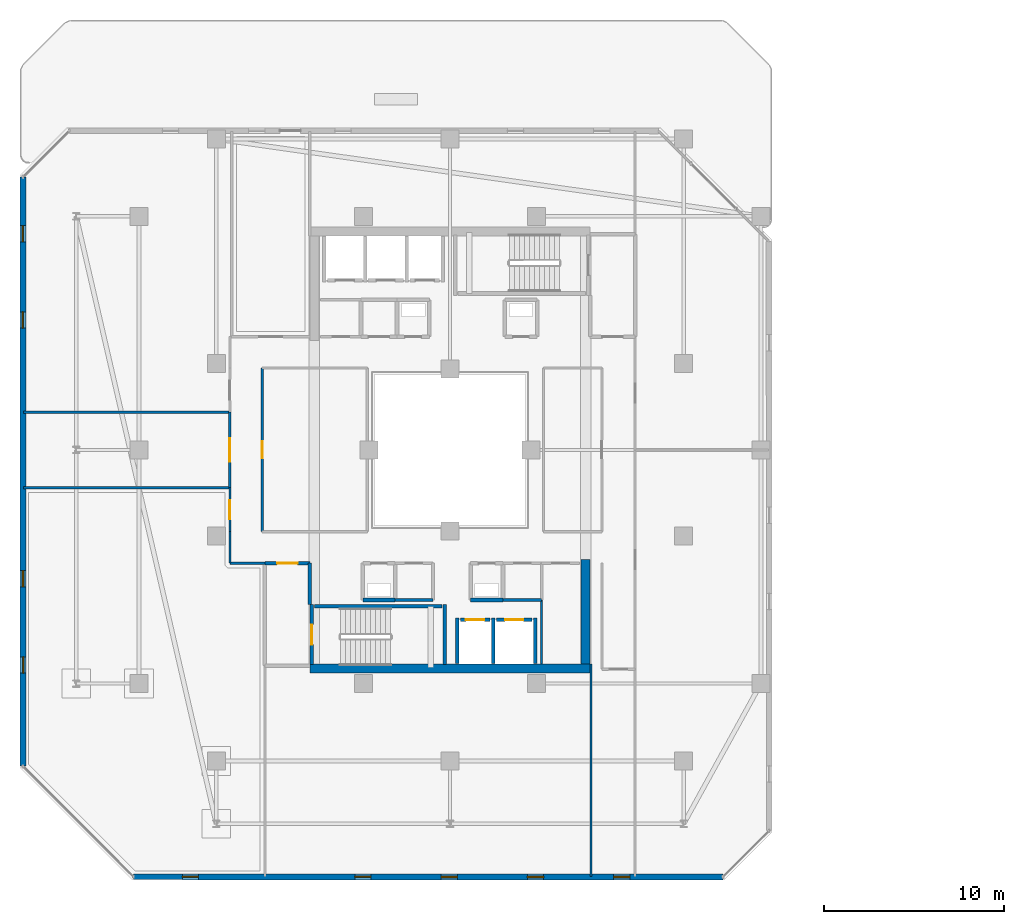
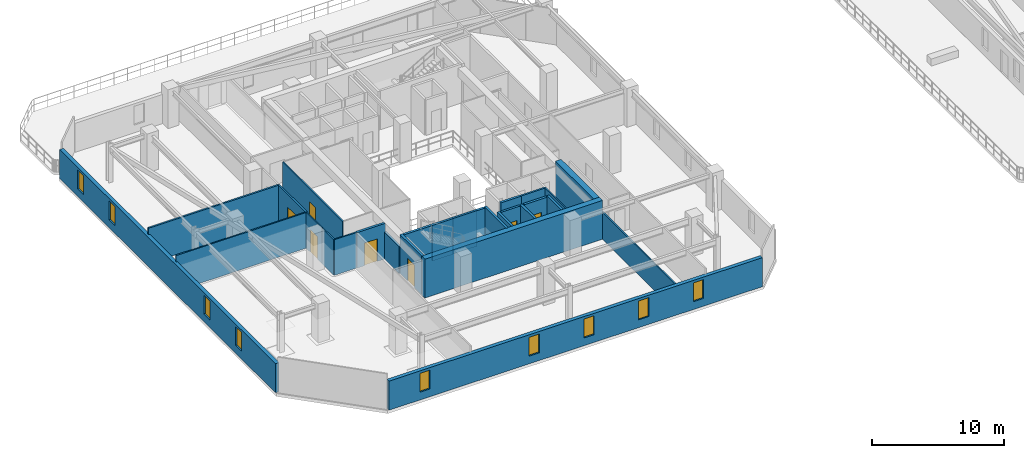
# One storey, part 18 of 29: 27 walls, 9 windows, 7 doors, 16 openings.
"""IFC4 building model written with IfcOpenShell, lengths in metres."""

from ifc_helpers import new_model, si_unit, direction, frame, frame_2d, origin, place, context, subcontext, project, spatial, rectangle, extrude, material, layer, layer_set, type_object, element, fill, save


model = new_model("IFC4")

# Units and contexts
model_context = context("Model", 3, precision=1e-05, world=origin(), true_north=direction((0.0, 1.0)))
body_context = subcontext(model_context, "Body", "Model", "MODEL_VIEW")
ifc_project = project(units=[si_unit("LENGTHUNIT", "METRE"), si_unit("AREAUNIT", "SQUARE_METRE"), si_unit("VOLUMEUNIT", "CUBIC_METRE"), si_unit("PLANEANGLEUNIT", "RADIAN"), si_unit("MASSUNIT", "GRAM", prefix="KILO")], contexts=[model_context])

# Site, building, storey
site_placement = place(None, origin())
site = spatial("IfcSite", under=ifc_project, at=site_placement, CompositionType="ELEMENT")
building_placement = place(site_placement, origin())
building = spatial("IfcBuilding", under=site, at=building_placement, Name="Thornwick Lancets Civic Towers", CompositionType="ELEMENT")
storey_placement = place(building_placement, frame((0.0, 0.0, 229.5)))
storey = spatial("IfcBuildingStorey", under=building, at=storey_placement, Name="L61", CompositionType="ELEMENT", Elevation=229.5)

# Wall, opening, door
ifc_material_1 = material(Name="Concrete blockwork C40/50", Category="masonry")
ifc_layer_1 = layer(ifc_material_1, 0.199951171875, Name="Concrete blockwork C40/50")
ifc_layer_set_1 = layer_set([ifc_layer_1], Name="Concrete blockwork C40/50")
wall_type_1 = type_object("IfcWallType", Name="WALL_COMP_200", PredefinedType="STANDARD", material=ifc_layer_set_1)
wall_1_placement = place(storey_placement, frame((26.080078125, 17.550048828125, 0.0), z_axis=(0.0, 0.0, 1.0), x_axis=(1.0, 0.0, 0.0)))
wall_1 = element("IfcWall", 1, at=wall_1_placement, inside=storey, type_object=wall_type_1, Name="L61 Hoistway Front Wall FL-A1", PredefinedType="STANDARD", context=body_context, shape_type="SweptSolid", body=[
    extrude(rectangle(XDim=1.639892578125, YDim=0.199951171875, at=frame_2d((0.81982421875, 0.0))), origin(), (0.0, 0.0, 1.0), 3.300048828125),
])
opening_1_placement = place(wall_1_placement, frame((0.31005859375, 0.0, 0.0)))
opening_1 = element("IfcOpeningElement", 2, at=opening_1_placement, cuts=wall_1, Name="Opening LD-FL-A1", PredefinedType="OPENING", context=body_context, shape_type="SweptSolid", body=[
    extrude(rectangle(XDim=1.02001953125, YDim=2.06005859375, at=frame_2d((0.510009765625, 1.030029296875))), frame((0.0, 0.10986328125, 0.0), z_axis=(0.0, -1.0, 0.0), x_axis=(1.0, 0.0, 0.0)), (0.0, 0.0, 1.0), 0.219970703125),
])
ifc_material_2 = material(Name="Brushed bronze stainless steel", Category="steel")
door_type_1 = type_object("IfcDoorType", Name="DOOR_LIFT_SLIDE", OperationType="SLIDING_TO_LEFT", PredefinedType="DOOR", material=ifc_material_2)
door_1_placement = place(opening_1_placement, origin())
door_1 = element("IfcDoor", 3, at=door_1_placement, inside=storey, type_object=door_type_1, Name="L61 Sliding Lift Landing Door LD-FL-A1", OperationType="SLIDING_TO_LEFT", OverallHeight=2.06005859375, OverallWidth=1.02001953125, PredefinedType="DOOR", context=body_context, shape_type="SweptSolid", body=[
    extrude(rectangle(XDim=1.02001953125, YDim=2.06005859375, at=frame_2d((0.510009765625, 1.030029296875))), frame((0.0, 0.02490234375, 0.0), z_axis=(0.0, -1.0, 0.0), x_axis=(1.0, 0.0, 0.0)), (0.0, 0.0, 1.0), 0.050048828125),
])
fill(opening_1, door_1)

wall_2_placement = place(storey_placement, frame((28.080078125, 17.550048828125, 0.0), z_axis=(0.0, 0.0, 1.0), x_axis=(1.0, 0.0, 0.0)))
wall_2 = element("IfcWall", 4, at=wall_2_placement, inside=storey, type_object=wall_type_1, Name="L61 Hoistway Front Wall PL-AH1", PredefinedType="STANDARD", context=body_context, shape_type="SweptSolid", body=[
    extrude(rectangle(XDim=1.989990234375, YDim=0.199951171875, at=frame_2d((0.9951171875, 0.0))), origin(), (0.0, 0.0, 1.0), 3.300048828125),
])
opening_2_placement = place(wall_2_placement, frame((0.485107421875, 0.0, 0.0)))
opening_2 = element("IfcOpeningElement", 5, at=opening_2_placement, cuts=wall_2, Name="Opening LD-PL-AH1", PredefinedType="OPENING", context=body_context, shape_type="SweptSolid", body=[
    extrude(rectangle(XDim=1.02001953125, YDim=2.06005859375, at=frame_2d((0.510009765625, 1.030029296875))), frame((0.0, 0.10986328125, 0.0), z_axis=(0.0, -1.0, 0.0), x_axis=(1.0, 0.0, 0.0)), (0.0, 0.0, 1.0), 0.219970703125),
])
door_2_placement = place(opening_2_placement, origin())
door_2 = element("IfcDoor", 6, at=door_2_placement, inside=storey, type_object=door_type_1, Name="L61 Sliding Lift Landing Door LD-PL-AH1", OperationType="SLIDING_TO_LEFT", OverallHeight=2.06005859375, OverallWidth=1.02001953125, PredefinedType="DOOR", context=body_context, shape_type="SweptSolid", body=[
    extrude(rectangle(XDim=1.02001953125, YDim=2.06005859375, at=frame_2d((0.510009765625, 1.030029296875))), frame((0.0, 0.02490234375, 0.0), z_axis=(0.0, -1.0, 0.0), x_axis=(1.0, 0.0, 0.0)), (0.0, 0.0, 1.0), 0.050048828125),
])
fill(opening_2, door_2)

# Walls
for number, where, z_axis, x_axis, name in (
    (7, (27.89990234375, 15.112060546875, 0.0), (0.0, 0.0, 1.0), (0.0, 1.0, 0.0), "L61 Hoistway Shaft Wall FL-A1 E"),
    (8, (25.89990234375, 15.112060546875, 0.0), (0.0, 0.0, 1.0), (0.0, 1.0, 0.0), "L61 Hoistway Shaft Wall FL-A1 W"),
    (9, (30.25, 15.112060546875, 0.0), (0.0, 0.0, 1.0), (0.0, 1.0, 0.0), "L61 Hoistway Shaft Wall PL-AH1 E"),
):
    element("IfcWall", number, at=place(storey_placement, frame(where, z_axis=z_axis, x_axis=x_axis)), inside=storey, type_object=wall_type_1, Name=name, PredefinedType="STANDARD", context=body_context, shape_type="SweptSolid", body=[
        extrude(rectangle(XDim=2.535888671875, YDim=0.199951171875, at=frame_2d((1.26806640625, 0.0))), origin(), (0.0, 0.0, 1.0), 3.300048828125),
    ])
wall_3_placement = place(storey_placement, frame((17.699951171875, 18.39990234375, 0.0), z_axis=(0.0, 0.0, 1.0), x_axis=(0.0, 1.0, 0.0)))
element("IfcWall", 10, at=wall_3_placement, inside=storey, type_object=wall_type_1, Name="L61 Partition L61-A-FFLOB1 E2", PredefinedType="STANDARD", context=body_context, shape_type="SweptSolid", body=[
    extrude(rectangle(XDim=2.300048828125, YDim=0.199951171875, at=frame_2d((1.14990234375, 0.0))), origin(), (0.0, 0.0, 1.0), 2.5048828125),
])

# Wall, opening, door
wall_4_placement = place(storey_placement, frame((17.699951171875, 20.699951171875, 0.0), z_axis=(0.0, 0.0, 1.0), x_axis=(-1.0, 0.0, 0.0)))
wall_4 = element("IfcWall", 11, at=wall_4_placement, inside=storey, type_object=wall_type_1, Name="L61 Partition L61-A-FFLOB1 E3", PredefinedType="STANDARD", context=body_context, shape_type="SweptSolid", body=[
    extrude(rectangle(XDim=2.5, YDim=0.199951171875, at=frame_2d((1.25, 0.0))), origin(), (0.0, 0.0, 1.0), 3.300048828125),
])
opening_3_placement = place(wall_4_placement, frame((0.675048828125, 0.0, 0.0)))
opening_3 = element("IfcOpeningElement", 12, at=opening_3_placement, cuts=wall_4, Name="Opening D-L61-2737", PredefinedType="OPENING", context=body_context, shape_type="SweptSolid", body=[
    extrude(rectangle(XDim=1.14990234375, YDim=2.10009765625, at=frame_2d((0.574951171875, 1.050048828125))), frame((0.0, 0.10986328125, 0.0), z_axis=(0.0, -1.0, 0.0), x_axis=(1.0, 0.0, 0.0)), (0.0, 0.0, 1.0), 0.219970703125),
])
ifc_material_3 = material(Name="Glazed fire-resisting steel", Category="steel")
door_type_2 = type_object("IfcDoorType", Name="DOOR_LOBBY_FD60", OperationType="NOTDEFINED", PredefinedType="DOOR", material=ifc_material_3)
door_3_placement = place(opening_3_placement, origin())
door_3 = element("IfcDoor", 13, at=door_3_placement, inside=storey, type_object=door_type_2, Name="L61 South Firefighting Lobby 1 Door", OperationType="SINGLE_SWING_RIGHT", OverallHeight=2.10009765625, OverallWidth=1.14990234375, PredefinedType="DOOR", context=body_context, shape_type="SweptSolid", body=[
    extrude(rectangle(XDim=1.14990234375, YDim=2.10009765625, at=frame_2d((0.574951171875, 1.050048828125))), frame((0.0, 0.02490234375, 0.0), z_axis=(0.0, -1.0, 0.0), x_axis=(1.0, 0.0, 0.0)), (0.0, 0.0, 1.0), 0.050048828125),
])
fill(opening_3, door_3)

# Walls
for number, where, z_axis, x_axis, name in (
    (14, (26.64990234375, 18.64990234375, 0.0), (0.0, 0.0, 1.0), (1.0, 0.0, 0.0), "L61 Partition L61-A-DUCT1 E1"),
    (15, (20.64990234375, 18.64990234375, 0.0), (0.0, 0.0, 1.0), (1.0, 0.0, 0.0), "L61 Partition L61-A-RISER1 E1"),
):
    element("IfcWall", number, at=place(storey_placement, frame(where, z_axis=z_axis, x_axis=x_axis)), inside=storey, type_object=wall_type_1, Name=name, PredefinedType="STANDARD", context=body_context, shape_type="SweptSolid", body=[
        extrude(rectangle(XDim=1.800048828125, YDim=0.199951171875, at=frame_2d((0.89990234375, 0.0))), origin(), (0.0, 0.0, 1.0), 3.300048828125),
    ])
ifc_material_4 = material(Name="Concrete C50/60", Category="concrete")
ifc_layer_2 = layer(ifc_material_4, 0.5, Name="Concrete C50/60")
ifc_layer_set_2 = layer_set([ifc_layer_2], Name="Concrete C50/60")
wall_type_2 = type_object("IfcWallType", Name="WALL_CORE_500", PredefinedType="SHEAR", material=ifc_layer_set_2)
wall_5_placement = place(storey_placement, frame((17.699951171875, 14.85009765625, 0.0), z_axis=(0.0, 0.0, 1.0), x_axis=(1.0, 0.0, 0.0)))
element("IfcWall", 16, at=wall_5_placement, inside=storey, type_object=wall_type_2, Name="L61 Split Core A1 Shear Wall S", PredefinedType="SHEAR", context=body_context, shape_type="SweptSolid", body=[
    extrude(rectangle(XDim=15.60009765625, YDim=0.5, at=frame_2d((7.800048828125, 0.0))), origin(), (0.0, 0.0, 1.0), 3.60009765625),
])
wall_6_placement = place(storey_placement, frame((33.050048828125, 15.10009765625, 0.0), z_axis=(0.0, 0.0, 1.0), x_axis=(0.0, 1.0, 0.0)))
element("IfcWall", 17, at=wall_6_placement, inside=storey, type_object=wall_type_2, Name="L61 Split Core A1 Shear Wall E", PredefinedType="SHEAR", context=body_context, shape_type="SweptSolid", body=[
    extrude(rectangle(XDim=5.7998046875, YDim=0.5, at=frame_2d((2.89990234375, 0.0))), origin(), (0.0, 0.0, 1.0), 3.60009765625),
])

# Wall, openings, windows
ifc_material_5 = material(Name="Insulated buff terracotta rainscreen on concrete C40/50", Category="masonry")
ifc_layer_3 = layer(ifc_material_5, 0.320068359375, Name="Insulated buff terracotta rainscreen on concrete C40/50")
ifc_layer_set_3 = layer_set([ifc_layer_3], Name="Insulated buff terracotta rainscreen on concrete C40/50")
wall_type_3 = type_object("IfcWallType", Name="WALL_EXT_TERRA_320", PredefinedType="STANDARD", material=ifc_layer_set_3)
wall_7_placement = place(storey_placement, frame((7.903564453125, 3.247314453125, 0.0), z_axis=(0.0, 0.0, 1.0), x_axis=(0.999999933399, -0.000364968916, 0.0)))
wall_7 = element("IfcWall", 18, at=wall_7_placement, inside=storey, type_object=wall_type_3, Name="L61 Tower A Terracotta Facade Wall E0", PredefinedType="STANDARD", context=body_context, shape_type="SweptSolid", body=[
    extrude(rectangle(XDim=32.77783203125, YDim=0.320068359375, at=frame_2d((16.388916015625, 0.0))), origin(), (0.0, 0.0, 1.0), 2.699951171875),
])
opening_4_placement = place(wall_7_placement, frame((2.699951171875, 0.0, 0.719970703125)))
opening_4 = element("IfcOpeningElement", 19, at=opening_4_placement, cuts=wall_7, Name="Opening WL-01", PredefinedType="OPENING", context=body_context, shape_type="SweptSolid", body=[
    extrude(rectangle(XDim=0.89990234375, YDim=1.75, at=frame_2d((0.449951171875, 0.875))), frame((0.0, 0.169921875, 0.0), z_axis=(0.0, -1.0, 0.0), x_axis=(1.0, 0.0, 0.0)), (0.0, 0.0, 1.0), 0.340087890625),
])
opening_5_placement = place(wall_7_placement, frame((12.300048828125, 0.0, 0.719970703125)))
opening_5 = element("IfcOpeningElement", 20, at=opening_5_placement, cuts=wall_7, Name="Opening WL-01", PredefinedType="OPENING", context=body_context, shape_type="SweptSolid", body=[
    extrude(rectangle(XDim=0.89990234375, YDim=1.75, at=frame_2d((0.449951171875, 0.875))), frame((0.0, 0.169921875, 0.0), z_axis=(0.0, -1.0, 0.0), x_axis=(1.0, 0.0, 0.0)), (0.0, 0.0, 1.0), 0.340087890625),
])
opening_6_placement = place(wall_7_placement, frame((17.10009765625, 0.0, 0.719970703125)))
opening_6 = element("IfcOpeningElement", 21, at=opening_6_placement, cuts=wall_7, Name="Opening WL-01", PredefinedType="OPENING", context=body_context, shape_type="SweptSolid", body=[
    extrude(rectangle(XDim=0.89990234375, YDim=1.75, at=frame_2d((0.449951171875, 0.875))), frame((0.0, 0.169921875, 0.0), z_axis=(0.0, -1.0, 0.0), x_axis=(1.0, 0.0, 0.0)), (0.0, 0.0, 1.0), 0.340087890625),
])
opening_7_placement = place(wall_7_placement, frame((21.89990234375, 0.0, 0.719970703125)))
opening_7 = element("IfcOpeningElement", 22, at=opening_7_placement, cuts=wall_7, Name="Opening WL-01", PredefinedType="OPENING", context=body_context, shape_type="SweptSolid", body=[
    extrude(rectangle(XDim=0.89990234375, YDim=1.75, at=frame_2d((0.449951171875, 0.875))), frame((0.0, 0.169921875, 0.0), z_axis=(0.0, -1.0, 0.0), x_axis=(1.0, 0.0, 0.0)), (0.0, 0.0, 1.0), 0.340087890625),
])
opening_8_placement = place(wall_7_placement, frame((26.699951171875, 0.0, 0.719970703125)))
opening_8 = element("IfcOpeningElement", 23, at=opening_8_placement, cuts=wall_7, Name="Opening WL-01", PredefinedType="OPENING", context=body_context, shape_type="SweptSolid", body=[
    extrude(rectangle(XDim=0.89990234375, YDim=1.75, at=frame_2d((0.449951171875, 0.875))), frame((0.0, 0.169921875, 0.0), z_axis=(0.0, -1.0, 0.0), x_axis=(1.0, 0.0, 0.0)), (0.0, 0.0, 1.0), 0.340087890625),
])
ifc_material_6 = material(Name="Clear low-e double glazing in bronze frame", Category="glass")
window_type = type_object("IfcWindowType", Name="WIN_LANCET_900", PartitioningType="SINGLE_PANEL", PredefinedType="WINDOW", material=ifc_material_6)
window_1_placement = place(opening_4_placement, origin())
window_1 = element("IfcWindow", 24, at=window_1_placement, inside=storey, type_object=window_type, Name="L61 Tower A Staggered Lancet Window E0-1", OverallHeight=1.75, OverallWidth=0.89990234375, PartitioningType="SINGLE_PANEL", PredefinedType="WINDOW", context=body_context, shape_type="SweptSolid", body=[
    extrude(rectangle(XDim=0.89990234375, YDim=1.75, at=frame_2d((0.449951171875, 0.875))), frame((0.0, 0.030029296875, 0.0), z_axis=(0.0, -1.0, 0.0), x_axis=(1.0, 0.0, 0.0)), (0.0, 0.0, 1.0), 0.06005859375),
])
fill(opening_4, window_1)
window_2_placement = place(opening_5_placement, origin())
window_2 = element("IfcWindow", 25, at=window_2_placement, inside=storey, type_object=window_type, Name="L61 Tower A Staggered Lancet Window E0-2", OverallHeight=1.75, OverallWidth=0.89990234375, PartitioningType="SINGLE_PANEL", PredefinedType="WINDOW", context=body_context, shape_type="SweptSolid", body=[
    extrude(rectangle(XDim=0.89990234375, YDim=1.75, at=frame_2d((0.449951171875, 0.875))), frame((0.0, 0.030029296875, 0.0), z_axis=(0.0, -1.0, 0.0), x_axis=(1.0, 0.0, 0.0)), (0.0, 0.0, 1.0), 0.06005859375),
])
fill(opening_5, window_2)
window_3_placement = place(opening_6_placement, origin())
window_3 = element("IfcWindow", 26, at=window_3_placement, inside=storey, type_object=window_type, Name="L61 Tower A Staggered Lancet Window E0-3", OverallHeight=1.75, OverallWidth=0.89990234375, PartitioningType="SINGLE_PANEL", PredefinedType="WINDOW", context=body_context, shape_type="SweptSolid", body=[
    extrude(rectangle(XDim=0.89990234375, YDim=1.75, at=frame_2d((0.449951171875, 0.875))), frame((0.0, 0.030029296875, 0.0), z_axis=(0.0, -1.0, 0.0), x_axis=(1.0, 0.0, 0.0)), (0.0, 0.0, 1.0), 0.06005859375),
])
fill(opening_6, window_3)
window_4_placement = place(opening_7_placement, origin())
window_4 = element("IfcWindow", 27, at=window_4_placement, inside=storey, type_object=window_type, Name="L61 Tower A Staggered Lancet Window E0-4", OverallHeight=1.75, OverallWidth=0.89990234375, PartitioningType="SINGLE_PANEL", PredefinedType="WINDOW", context=body_context, shape_type="SweptSolid", body=[
    extrude(rectangle(XDim=0.89990234375, YDim=1.75, at=frame_2d((0.449951171875, 0.875))), frame((0.0, 0.030029296875, 0.0), z_axis=(0.0, -1.0, 0.0), x_axis=(1.0, 0.0, 0.0)), (0.0, 0.0, 1.0), 0.06005859375),
])
fill(opening_7, window_4)
window_5_placement = place(opening_8_placement, origin())
window_5 = element("IfcWindow", 28, at=window_5_placement, inside=storey, type_object=window_type, Name="L61 Tower A Staggered Lancet Window E0-5", OverallHeight=1.75, OverallWidth=0.89990234375, PartitioningType="SINGLE_PANEL", PredefinedType="WINDOW", context=body_context, shape_type="SweptSolid", body=[
    extrude(rectangle(XDim=0.89990234375, YDim=1.75, at=frame_2d((0.449951171875, 0.875))), frame((0.0, 0.030029296875, 0.0), z_axis=(0.0, -1.0, 0.0), x_axis=(1.0, 0.0, 0.0)), (0.0, 0.0, 1.0), 0.06005859375),
])
fill(opening_8, window_5)

wall_8_placement = place(storey_placement, frame((1.7353515625, 42.181396484375, 0.0), z_axis=(0.0, 0.0, 1.0), x_axis=(0.000364968916, -0.999999933399, 0.0)))
wall_8 = element("IfcWall", 29, at=wall_8_placement, inside=storey, type_object=wall_type_3, Name="L61 Tower A Terracotta Facade Wall E6", PredefinedType="STANDARD", context=body_context, shape_type="SweptSolid", body=[
    extrude(rectangle(XDim=32.77783203125, YDim=0.320068359375, at=frame_2d((16.388916015625, 0.0))), origin(), (0.0, 0.0, 1.0), 2.699951171875),
])
opening_9_placement = place(wall_8_placement, frame((2.699951171875, 0.0, 0.719970703125)))
opening_9 = element("IfcOpeningElement", 30, at=opening_9_placement, cuts=wall_8, Name="Opening WL-01", PredefinedType="OPENING", context=body_context, shape_type="SweptSolid", body=[
    extrude(rectangle(XDim=0.89990234375, YDim=1.75, at=frame_2d((0.449951171875, 0.875))), frame((0.0, 0.169921875, 0.0), z_axis=(0.0, -1.0, 0.0), x_axis=(1.0, 0.0, 0.0)), (0.0, 0.0, 1.0), 0.340087890625),
])
opening_10_placement = place(wall_8_placement, frame((7.5, 0.0, 0.719970703125)))
opening_10 = element("IfcOpeningElement", 31, at=opening_10_placement, cuts=wall_8, Name="Opening WL-01", PredefinedType="OPENING", context=body_context, shape_type="SweptSolid", body=[
    extrude(rectangle(XDim=0.89990234375, YDim=1.75, at=frame_2d((0.449951171875, 0.875))), frame((0.0, 0.169921875, 0.0), z_axis=(0.0, -1.0, 0.0), x_axis=(1.0, 0.0, 0.0)), (0.0, 0.0, 1.0), 0.340087890625),
])
opening_11_placement = place(wall_8_placement, frame((21.89990234375, 0.0, 0.719970703125)))
opening_11 = element("IfcOpeningElement", 32, at=opening_11_placement, cuts=wall_8, Name="Opening WL-01", PredefinedType="OPENING", context=body_context, shape_type="SweptSolid", body=[
    extrude(rectangle(XDim=0.89990234375, YDim=1.75, at=frame_2d((0.449951171875, 0.875))), frame((0.0, 0.169921875, 0.0), z_axis=(0.0, -1.0, 0.0), x_axis=(1.0, 0.0, 0.0)), (0.0, 0.0, 1.0), 0.340087890625),
])
opening_12_placement = place(wall_8_placement, frame((26.699951171875, 0.0, 0.719970703125)))
opening_12 = element("IfcOpeningElement", 33, at=opening_12_placement, cuts=wall_8, Name="Opening WL-01", PredefinedType="OPENING", context=body_context, shape_type="SweptSolid", body=[
    extrude(rectangle(XDim=0.89990234375, YDim=1.75, at=frame_2d((0.449951171875, 0.875))), frame((0.0, 0.169921875, 0.0), z_axis=(0.0, -1.0, 0.0), x_axis=(1.0, 0.0, 0.0)), (0.0, 0.0, 1.0), 0.340087890625),
])
window_6_placement = place(opening_9_placement, origin())
window_6 = element("IfcWindow", 34, at=window_6_placement, inside=storey, type_object=window_type, Name="L61 Tower A Staggered Lancet Window E6-1", OverallHeight=1.75, OverallWidth=0.89990234375, PartitioningType="SINGLE_PANEL", PredefinedType="WINDOW", context=body_context, shape_type="SweptSolid", body=[
    extrude(rectangle(XDim=0.89990234375, YDim=1.75, at=frame_2d((0.449951171875, 0.875))), frame((0.0, 0.030029296875, 0.0), z_axis=(0.0, -1.0, 0.0), x_axis=(1.0, 0.0, 0.0)), (0.0, 0.0, 1.0), 0.06005859375),
])
fill(opening_9, window_6)
window_7_placement = place(opening_10_placement, origin())
window_7 = element("IfcWindow", 35, at=window_7_placement, inside=storey, type_object=window_type, Name="L61 Tower A Staggered Lancet Window E6-2", OverallHeight=1.75, OverallWidth=0.89990234375, PartitioningType="SINGLE_PANEL", PredefinedType="WINDOW", context=body_context, shape_type="SweptSolid", body=[
    extrude(rectangle(XDim=0.89990234375, YDim=1.75, at=frame_2d((0.449951171875, 0.875))), frame((0.0, 0.030029296875, 0.0), z_axis=(0.0, -1.0, 0.0), x_axis=(1.0, 0.0, 0.0)), (0.0, 0.0, 1.0), 0.06005859375),
])
fill(opening_10, window_7)
window_8_placement = place(opening_11_placement, origin())
window_8 = element("IfcWindow", 36, at=window_8_placement, inside=storey, type_object=window_type, Name="L61 Tower A Staggered Lancet Window E6-3", OverallHeight=1.75, OverallWidth=0.89990234375, PartitioningType="SINGLE_PANEL", PredefinedType="WINDOW", context=body_context, shape_type="SweptSolid", body=[
    extrude(rectangle(XDim=0.89990234375, YDim=1.75, at=frame_2d((0.449951171875, 0.875))), frame((0.0, 0.030029296875, 0.0), z_axis=(0.0, -1.0, 0.0), x_axis=(1.0, 0.0, 0.0)), (0.0, 0.0, 1.0), 0.06005859375),
])
fill(opening_11, window_8)
window_9_placement = place(opening_12_placement, origin())
window_9 = element("IfcWindow", 37, at=window_9_placement, inside=storey, type_object=window_type, Name="L61 Tower A Staggered Lancet Window E6-4", OverallHeight=1.75, OverallWidth=0.89990234375, PartitioningType="SINGLE_PANEL", PredefinedType="WINDOW", context=body_context, shape_type="SweptSolid", body=[
    extrude(rectangle(XDim=0.89990234375, YDim=1.75, at=frame_2d((0.449951171875, 0.875))), frame((0.0, 0.030029296875, 0.0), z_axis=(0.0, -1.0, 0.0), x_axis=(1.0, 0.0, 0.0)), (0.0, 0.0, 1.0), 0.06005859375),
])
fill(opening_12, window_9)

# Walls
ifc_material_7 = material(Name="Acoustic gypsum board partition")
ifc_layer_4 = layer(ifc_material_7, 0.1201171875, Name="Acoustic gypsum board partition")
ifc_layer_set_4 = layer_set([ifc_layer_4], Name="Acoustic gypsum board partition")
wall_type_4 = type_object("IfcWallType", Name="WALL_PART_120", PredefinedType="PARTITIONING", material=ifc_layer_set_4)
wall_9_placement = place(storey_placement, frame((30.60009765625, 15.10009765625, 0.0), z_axis=(0.0, 0.0, 1.0), x_axis=(0.0, 1.0, 0.0)))
element("IfcWall", 38, at=wall_9_placement, inside=storey, type_object=wall_type_4, Name="L61 Partition L61-A-ITR E3", PredefinedType="PARTITIONING", context=body_context, shape_type="SweptSolid", body=[
    extrude(rectangle(XDim=3.5498046875, YDim=0.1201171875, at=frame_2d((1.77490234375, 0.0))), origin(), (0.0, 0.0, 1.0), 3.300048828125),
])
wall_10_placement = place(storey_placement, frame((33.35009765625, 3.280029296875, 0.0), z_axis=(0.0, 0.0, 1.0), x_axis=(0.0, 1.0, 0.0)))
element("IfcWall", 39, at=wall_10_placement, inside=storey, type_object=wall_type_4, Name="L61 Partition L61-A-RECLAIM-L E5", PredefinedType="PARTITIONING", context=body_context, shape_type="SweptSolid", body=[
    extrude(rectangle(XDim=11.820068359375, YDim=0.1201171875, at=frame_2d((5.91015625, 0.0))), origin(), (0.0, 0.0, 1.0), 2.5048828125),
])
wall_11_placement = place(storey_placement, frame((13.25, 22.449951171875, 0.0), z_axis=(0.0, 0.0, 1.0), x_axis=(0.0, -1.0, 0.0)))
element("IfcWall", 40, at=wall_11_placement, inside=storey, type_object=wall_type_4, Name="L61 Partition L61-A-W1 E1", PredefinedType="PARTITIONING", context=body_context, shape_type="SweptSolid", body=[
    extrude(rectangle(XDim=1.75, YDim=0.1201171875, at=frame_2d((0.875, 0.0))), origin(), (0.0, 0.0, 1.0), 3.300048828125),
])
wall_12_placement = place(storey_placement, frame((13.25, 20.699951171875, 0.0), z_axis=(0.0, 0.0, 1.0), x_axis=(1.0, 0.0, 0.0)))
element("IfcWall", 41, at=wall_12_placement, inside=storey, type_object=wall_type_4, Name="L61 Partition L61-A-W1 E2", PredefinedType="PARTITIONING", context=body_context, shape_type="SweptSolid", body=[
    extrude(rectangle(XDim=1.949951171875, YDim=0.1201171875, at=frame_2d((0.97509765625, 0.0))), origin(), (0.0, 0.0, 1.0), 3.300048828125),
])
wall_13_placement = place(storey_placement, frame((1.780029296875, 24.89990234375, 0.0), z_axis=(0.0, 0.0, 1.0), x_axis=(1.0, 0.0, 0.0)))
element("IfcWall", 42, at=wall_13_placement, inside=storey, type_object=wall_type_4, Name="L61 Partition L61-A-W1 E8", PredefinedType="PARTITIONING", context=body_context, shape_type="SweptSolid", body=[
    extrude(rectangle(XDim=11.469970703125, YDim=0.1201171875, at=frame_2d((5.73486328125, 0.0))), origin(), (0.0, 0.0, 1.0), 3.300048828125),
])

# Wall, opening, door
wall_14_placement = place(storey_placement, frame((13.25, 24.89990234375, 0.0), z_axis=(0.0, 0.0, 1.0), x_axis=(0.0, -1.0, 0.0)))
wall_14 = element("IfcWall", 43, at=wall_14_placement, inside=storey, type_object=wall_type_4, Name="L61 Partition L61-A-W1 E9", PredefinedType="PARTITIONING", context=body_context, shape_type="SweptSolid", body=[
    extrude(rectangle(XDim=2.449951171875, YDim=0.1201171875, at=frame_2d((1.22509765625, 0.0))), origin(), (0.0, 0.0, 1.0), 3.300048828125),
])
opening_13_placement = place(wall_14_placement, frame((0.699951171875, 0.0, 0.0)))
opening_13 = element("IfcOpeningElement", 44, at=opening_13_placement, cuts=wall_14, Name="Opening D-L61-2761", PredefinedType="OPENING", context=body_context, shape_type="SweptSolid", body=[
    extrude(rectangle(XDim=1.050048828125, YDim=2.10009765625, at=frame_2d((0.52490234375, 1.050048828125))), frame((0.0, 0.070068359375, 0.0), z_axis=(0.0, -1.0, 0.0), x_axis=(1.0, 0.0, 0.0)), (0.0, 0.0, 1.0), 0.14013671875),
])
ifc_material_8 = material(Name="Glazed European oak executive doorset")
door_type_3 = type_object("IfcDoorType", Name="DOOR_OFFICE_1050", OperationType="NOTDEFINED", PredefinedType="DOOR", material=ifc_material_8)
door_4_placement = place(opening_13_placement, origin())
door_4 = element("IfcDoor", 45, at=door_4_placement, inside=storey, type_object=door_type_3, Name="L61 Tower A Ministry Directorate Office W1 Door", OperationType="SINGLE_SWING_RIGHT", OverallHeight=2.10009765625, OverallWidth=1.050048828125, PredefinedType="DOOR", context=body_context, shape_type="SweptSolid", body=[
    extrude(rectangle(XDim=1.050048828125, YDim=2.10009765625, at=frame_2d((0.52490234375, 1.050048828125))), frame((0.0, 0.02490234375, 0.0), z_axis=(0.0, -1.0, 0.0), x_axis=(1.0, 0.0, 0.0)), (0.0, 0.0, 1.0), 0.050048828125),
])
fill(opening_13, door_4)

wall_15_placement = place(storey_placement, frame((15.050048828125, 22.449951171875, 0.0), z_axis=(0.0, 0.0, 1.0), x_axis=(0.0, 1.0, 0.0)))
wall_15 = element("IfcWall", 46, at=wall_15_placement, inside=storey, type_object=wall_type_4, Name="L61 Partition L61-A-W3 E1", PredefinedType="PARTITIONING", context=body_context, shape_type="SweptSolid", body=[
    extrude(rectangle(XDim=9.10009765625, YDim=0.1201171875, at=frame_2d((4.550048828125, 0.0))), origin(), (0.0, 0.0, 1.0), 3.300048828125),
])
opening_14_placement = place(wall_15_placement, frame((4.074951171875, 0.0, 0.0)))
opening_14 = element("IfcOpeningElement", 47, at=opening_14_placement, cuts=wall_15, Name="Opening D-L61-2764", PredefinedType="OPENING", context=body_context, shape_type="SweptSolid", body=[
    extrude(rectangle(XDim=0.949951171875, YDim=2.10009765625, at=frame_2d((0.47509765625, 1.050048828125))), frame((0.0, 0.070068359375, 0.0), z_axis=(0.0, -1.0, 0.0), x_axis=(1.0, 0.0, 0.0)), (0.0, 0.0, 1.0), 0.14013671875),
])
ifc_material_9 = material(Name="European oak acoustic doorset")
door_type_4 = type_object("IfcDoorType", Name="DOOR_OFFICE_950", OperationType="NOTDEFINED", PredefinedType="DOOR", material=ifc_material_9)
door_5_placement = place(opening_14_placement, origin())
door_5 = element("IfcDoor", 48, at=door_5_placement, inside=storey, type_object=door_type_4, Name="L61 Tower A West Atrium Gallery Suite Door", OperationType="SINGLE_SWING_LEFT", OverallHeight=2.10009765625, OverallWidth=0.949951171875, PredefinedType="DOOR", context=body_context, shape_type="SweptSolid", body=[
    extrude(rectangle(XDim=0.949951171875, YDim=2.10009765625, at=frame_2d((0.47509765625, 1.050048828125))), frame((0.0, 0.02490234375, 0.0), z_axis=(0.0, -1.0, 0.0), x_axis=(1.0, 0.0, 0.0)), (0.0, 0.0, 1.0), 0.050048828125),
])
fill(opening_14, door_5)

# Walls
ifc_material_10 = material(Name="Twin-stud acoustic gypsum board")
ifc_layer_5 = layer(ifc_material_10, 0.14990234375, Name="Twin-stud acoustic gypsum board")
ifc_layer_set_5 = layer_set([ifc_layer_5], Name="Twin-stud acoustic gypsum board")
wall_type_5 = type_object("IfcWallType", Name="WALL_PART_150", PredefinedType="PARTITIONING", material=ifc_layer_set_5)
wall_16_placement = place(storey_placement, frame((24.550048828125, 18.64990234375, 0.0), z_axis=(0.0, 0.0, 1.0), x_axis=(-1.0, 0.0, 0.0)))
element("IfcWall", 49, at=wall_16_placement, inside=storey, type_object=wall_type_5, Name="L61 Partition L61-A-MWC E2", PredefinedType="PARTITIONING", context=body_context, shape_type="SweptSolid", body=[
    extrude(rectangle(XDim=2.10009765625, YDim=0.14990234375, at=frame_2d((1.050048828125, 0.0))), origin(), (0.0, 0.0, 1.0), 3.300048828125),
])
wall_17_placement = place(storey_placement, frame((30.60009765625, 18.64990234375, 0.0), z_axis=(0.0, 0.0, 1.0), x_axis=(-1.0, 0.0, 0.0)))
element("IfcWall", 50, at=wall_17_placement, inside=storey, type_object=wall_type_5, Name="L61 Partition L61-A-FWC E2", PredefinedType="PARTITIONING", context=body_context, shape_type="SweptSolid", body=[
    extrude(rectangle(XDim=2.150146484375, YDim=0.14990234375, at=frame_2d((1.0751953125, 0.0))), origin(), (0.0, 0.0, 1.0), 3.300048828125),
])
wall_18_placement = place(storey_placement, frame((1.780029296875, 29.10009765625, 0.0), z_axis=(0.0, 0.0, 1.0), x_axis=(1.0, 0.0, 0.0)))
element("IfcWall", 51, at=wall_18_placement, inside=storey, type_object=wall_type_5, Name="L61 Partition L61-A-W2 E3", PredefinedType="PARTITIONING", context=body_context, shape_type="SweptSolid", body=[
    extrude(rectangle(XDim=11.469970703125, YDim=0.14990234375, at=frame_2d((5.73486328125, 0.0))), origin(), (0.0, 0.0, 1.0), 3.300048828125),
])

# Wall, opening, door
wall_19_placement = place(storey_placement, frame((13.25, 29.10009765625, 0.0), z_axis=(0.0, 0.0, 1.0), x_axis=(0.0, -1.0, 0.0)))
wall_19 = element("IfcWall", 52, at=wall_19_placement, inside=storey, type_object=wall_type_5, Name="L61 Partition L61-A-W2 E4", PredefinedType="PARTITIONING", context=body_context, shape_type="SweptSolid", body=[
    extrude(rectangle(XDim=4.2001953125, YDim=0.14990234375, at=frame_2d((2.10009765625, 0.0))), origin(), (0.0, 0.0, 1.0), 3.300048828125),
])
opening_15_placement = place(wall_19_placement, frame((1.449951171875, 0.0, 0.0)))
opening_15 = element("IfcOpeningElement", 53, at=opening_15_placement, cuts=wall_19, Name="Opening D-L61-2762", PredefinedType="OPENING", context=body_context, shape_type="SweptSolid", body=[
    extrude(rectangle(XDim=1.300048828125, YDim=2.1201171875, at=frame_2d((0.64990234375, 1.06005859375))), frame((0.0, 0.0849609375, 0.0), z_axis=(0.0, -1.0, 0.0), x_axis=(1.0, 0.0, 0.0)), (0.0, 0.0, 1.0), 0.169921875),
])
ifc_material_11 = material(Name="Acoustic oak leaf-and-a-half doorset")
door_type_5 = type_object("IfcDoorType", Name="DOOR_MEET_1300", OperationType="DOUBLE_DOOR_SINGLE_SWING", PredefinedType="DOOR", material=ifc_material_11)
door_6_placement = place(opening_15_placement, origin())
door_6 = element("IfcDoor", 54, at=door_6_placement, inside=storey, type_object=door_type_5, Name="L61 Tower A Policy Briefing Room W2 Door", OperationType="DOUBLE_DOOR_SINGLE_SWING", OverallHeight=2.1201171875, OverallWidth=1.300048828125, PredefinedType="DOOR", context=body_context, shape_type="SweptSolid", body=[
    extrude(rectangle(XDim=1.300048828125, YDim=2.1201171875, at=frame_2d((0.64990234375, 1.06005859375))), frame((0.0, 0.02490234375, 0.0), z_axis=(0.0, -1.0, 0.0), x_axis=(1.0, 0.0, 0.0)), (0.0, 0.0, 1.0), 0.050048828125),
])
fill(opening_15, door_6)

ifc_material_12 = material(Name="Concrete C40/50", Category="concrete")
ifc_layer_6 = layer(ifc_material_12, 0.199951171875, Name="Concrete C40/50")
ifc_layer_set_6 = layer_set([ifc_layer_6], Name="Concrete C40/50")
wall_type_6 = type_object("IfcWallType", Name="WALL_SHAFT_200", PredefinedType="SHEAR", material=ifc_layer_set_6)
wall_20_placement = place(storey_placement, frame((17.800048828125, 15.050048828125, 0.0), z_axis=(0.0, 0.0, 1.0), x_axis=(0.0, 1.0, 0.0)))
wall_20 = element("IfcWall", 55, at=wall_20_placement, inside=storey, type_object=wall_type_6, Name="L61 ST-A1 Fire Stair Core Wall NEAR", PredefinedType="SHEAR", context=body_context, shape_type="SweptSolid", body=[
    extrude(rectangle(XDim=3.349853515625, YDim=0.199951171875, at=frame_2d((1.6748046875, 0.0))), origin(), (0.0, 0.0, 1.0), 3.60009765625),
])
opening_16_placement = place(wall_20_placement, frame((1.125, 0.0, 0.0)))
opening_16 = element("IfcOpeningElement", 56, at=opening_16_placement, cuts=wall_20, Name="Opening D-ST-A1-L61", PredefinedType="OPENING", context=body_context, shape_type="SweptSolid", body=[
    extrude(rectangle(XDim=1.10009765625, YDim=2.10009765625, at=frame_2d((0.550048828125, 1.050048828125))), frame((0.0, 0.10986328125, 0.0), z_axis=(0.0, -1.0, 0.0), x_axis=(1.0, 0.0, 0.0)), (0.0, 0.0, 1.0), 0.219970703125),
])
ifc_material_13 = material(Name="Fire-resisting steel and hardwood", Category="steel")
door_type_6 = type_object("IfcDoorType", Name="DOOR_STAIR_FD60", OperationType="NOTDEFINED", PredefinedType="DOOR", material=ifc_material_13)
door_7_placement = place(opening_16_placement, origin())
door_7 = element("IfcDoor", 57, at=door_7_placement, inside=storey, type_object=door_type_6, Name="L61 ST-A1 Exit Stair Door", OperationType="SINGLE_SWING_RIGHT", OverallHeight=2.10009765625, OverallWidth=1.10009765625, PredefinedType="DOOR", context=body_context, shape_type="SweptSolid", body=[
    extrude(rectangle(XDim=1.10009765625, YDim=2.10009765625, at=frame_2d((0.550048828125, 1.050048828125))), frame((0.0, 0.02490234375, 0.0), z_axis=(0.0, -1.0, 0.0), x_axis=(1.0, 0.0, 0.0)), (0.0, 0.0, 1.0), 0.050048828125),
])
fill(opening_16, door_7)

# Walls
wall_21_placement = place(storey_placement, frame((25.199951171875, 18.39990234375, 0.0), z_axis=(0.0, 0.0, 1.0), x_axis=(0.0, -1.0, 0.0)))
element("IfcWall", 58, at=wall_21_placement, inside=storey, type_object=wall_type_6, Name="L61 ST-A1 Fire Stair Core Wall FAR", PredefinedType="SHEAR", context=body_context, shape_type="SweptSolid", body=[
    extrude(rectangle(XDim=3.349853515625, YDim=0.199951171875, at=frame_2d((1.6748046875, 0.0))), origin(), (0.0, 0.0, 1.0), 3.60009765625),
])
wall_22_placement = place(storey_placement, frame((25.050048828125, 18.297119140625, 0.0), z_axis=(0.0, 0.0, 1.0), x_axis=(-1.0, 0.0, 0.0)))
element("IfcWall", 59, at=wall_22_placement, inside=storey, type_object=wall_type_6, Name="L61 ST-A1 Fire Stair Core Wall RIGHT", PredefinedType="SHEAR", context=body_context, shape_type="SweptSolid", body=[
    extrude(rectangle(XDim=7.10009765625, YDim=0.199951171875, at=frame_2d((3.550048828125, 0.0))), origin(), (0.0, 0.0, 1.0), 3.60009765625),
])

save(model, "model.ifc")
